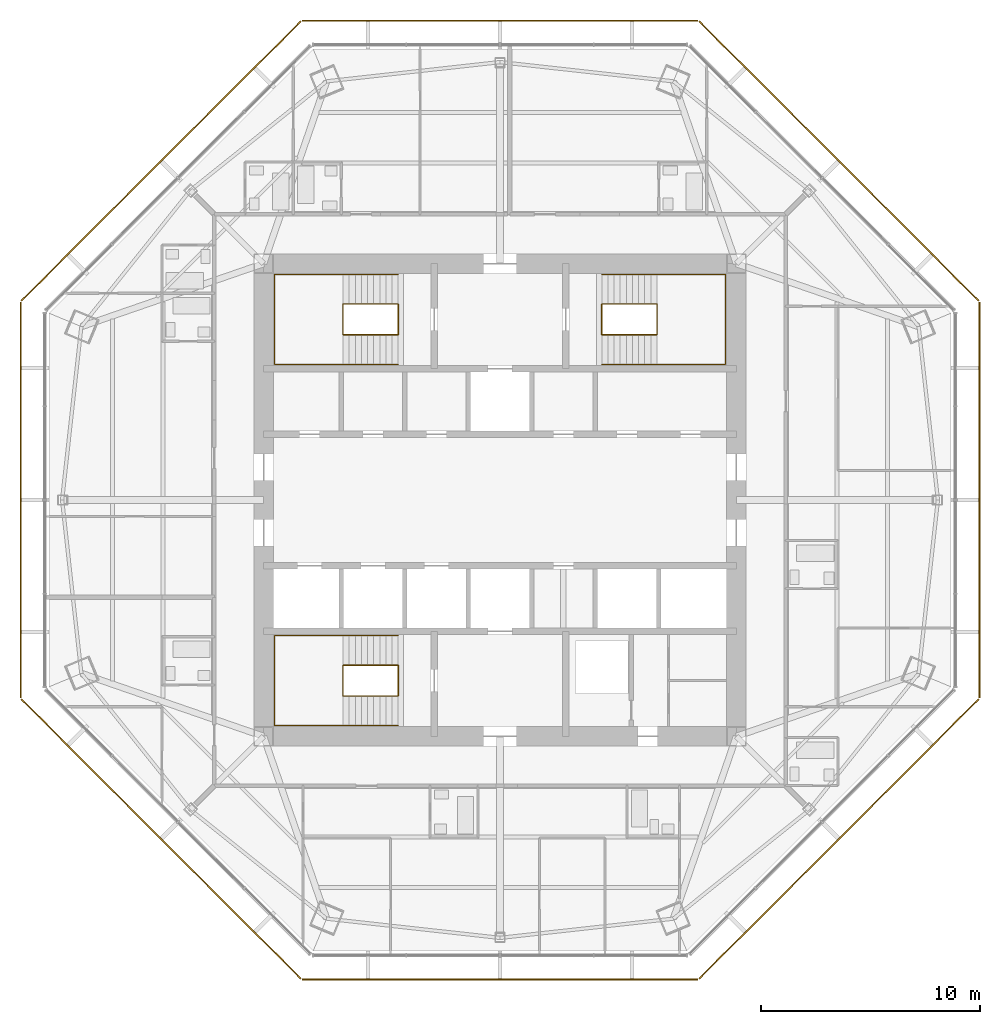
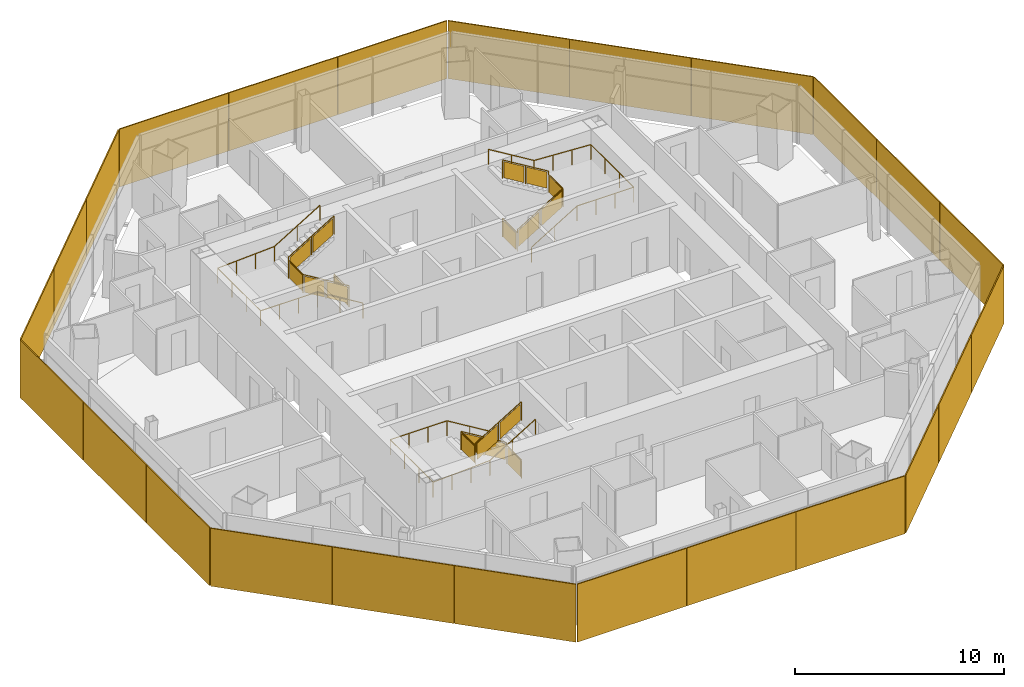
# One storey, part 13 of 14: 24 shading devices, 6 railings.
"""IFC4 building model written with IfcOpenShell, lengths in metres."""

from ifc_helpers import new_model, si_unit, direction, frame, origin, origin_2d, place, context, subcontext, project, spatial, polyline, rectangle, circle, outline, extrude, source, transform, mapped, material, layer, layer_set, type_object, type_shapes, element, save


model = new_model("IFC4")

# Units and contexts
model_context = context("Model", 3, precision=1e-05, world=origin(), true_north=direction((0.0, 1.0)))
body_context = subcontext(model_context, "Body", "Model", "MODEL_VIEW")
ifc_project = project(units=[si_unit("LENGTHUNIT", "METRE"), si_unit("AREAUNIT", "SQUARE_METRE"), si_unit("VOLUMEUNIT", "CUBIC_METRE"), si_unit("PLANEANGLEUNIT", "RADIAN"), si_unit("MASSUNIT", "GRAM", prefix="KILO")], contexts=[model_context])

# Site, building, storey
site_placement = place(None, origin())
site = spatial("IfcSite", under=ifc_project, at=site_placement, CompositionType="ELEMENT")
building_placement = place(site_placement, origin())
building = spatial("IfcBuilding", under=site, at=building_placement, Name="Mashrafa Tower", CompositionType="ELEMENT")
storey_placement = place(building_placement, frame((0.0, 0.0, 255.0)))
storey = spatial("IfcBuildingStorey", under=building, at=storey_placement, Name="L61", CompositionType="ELEMENT", Elevation=255.0)

# Railings
ifc_material_1 = material(Name="Steel guard with glass infill", Category="steel")
railing_type_1 = type_object("IfcRailingType", Name="Stair guard 1100", PredefinedType="GUARDRAIL", material=ifc_material_1)
railing_1_placement = place(storey_placement, frame((-4.64990234375, 8.949951171875, 0.0)))
element("IfcRailing", 1, at=railing_1_placement, inside=storey, type_object=railing_type_1, Name="Stair S1 guard L61", PredefinedType="GUARDRAIL", context=body_context, shape_type="SweptSolid", body=[
    extrude(circle(Radius=0.02392578125, at=origin_2d()), frame((0.0, 0.0, 1.076171875), z_axis=(0.0, -1.0, 0.0), x_axis=(1.0, 0.0, 0.0)), (0.0, 0.0, 1.0), 1.39990234375),
    extrude(circle(Radius=0.02392578125, at=origin_2d()), frame((0.0, -1.39990234375, 1.076171875), z_axis=(0.0, 0.0, 1.0), x_axis=(1.0, 0.0, 0.0)), (0.0, 0.0, 1.0), 0.169921875),
    extrude(circle(Radius=0.02392578125, at=origin_2d()), frame((0.0, -1.39990234375, 1.24609375), z_axis=(-0.85478489116, 0.0, 0.518982456201), x_axis=(0.0, -1.0, 0.0)), (0.0, 0.0, 1.0), 2.9482421875),
    extrude(circle(Radius=0.02392578125, at=origin_2d()), frame((-2.52001953125, -1.39990234375, 2.77587890625), z_axis=(0.0, 1.0, 0.0), x_axis=(-1.0, 0.0, 0.0)), (0.0, 0.0, 1.0), 1.39990234375),
    extrude(circle(Radius=0.02392578125, at=origin_2d()), frame((-2.52001953125, 0.0, 2.77587890625), z_axis=(0.0, 0.0, 1.0), x_axis=(1.0, 0.0, 0.0)), (0.0, 0.0, 1.0), 0.170166015625),
    extrude(circle(Radius=0.02392578125, at=origin_2d()), frame((-2.52001953125, 0.0, 2.9462890625), z_axis=(0.854821627497, 0.0, 0.518921945155), x_axis=(0.0, 1.0, 0.0)), (0.0, 0.0, 1.0), 2.947998046875),
    extrude(circle(Radius=0.02099609375, at=origin_2d()), origin(), (0.0, 0.0, 1.0), 1.052001953125),
    extrude(circle(Radius=0.02099609375, at=origin_2d()), frame((0.0, -1.39990234375, 0.0)), (0.0, 0.0, 1.0), 1.052001953125),
    extrude(circle(Radius=0.02099609375, at=origin_2d()), frame((0.0, -1.39990234375, 0.169921875)), (0.0, 0.0, 1.0), 1.052001953125),
    extrude(circle(Radius=0.02099609375, at=origin_2d()), frame((-1.260009765625, -1.39990234375, 0.93505859375)), (0.0, 0.0, 1.0), 1.052001953125),
    extrude(circle(Radius=0.02099609375, at=origin_2d()), frame((-2.52001953125, -1.39990234375, 1.699951171875)), (0.0, 0.0, 1.0), 1.052001953125),
    extrude(circle(Radius=0.02099609375, at=origin_2d()), frame((-2.52001953125, 0.0, 1.699951171875)), (0.0, 0.0, 1.0), 1.052001953125),
    extrude(circle(Radius=0.02099609375, at=origin_2d()), frame((-2.52001953125, 0.0, 1.8701171875)), (0.0, 0.0, 1.0), 1.052001953125),
    extrude(circle(Radius=0.02099609375, at=origin_2d()), frame((-1.260009765625, 0.0, 2.635009765625)), (0.0, 0.0, 1.0), 1.052001953125),
    extrude(circle(Radius=0.02099609375, at=origin_2d()), frame((0.0, 0.0, 3.39990234375)), (0.0, 0.0, 1.0), 1.052001953125),
    extrude(outline(polyline([(0.071044921875, 0.050048828125), (1.328857421875, 0.050048828125), (1.328857421875, 1.001953125), (0.071044921875, 1.001953125), (0.071044921875, 0.050048828125)])), frame((-0.006103515625, 0.0, 0.0), z_axis=(-1.0, 0.0, 0.0), x_axis=(0.0, -1.0, 0.0)), (0.0, 0.0, 1.0), 0.011962890625),
    extrude(outline(polyline([(0.071044921875, 0.093017578125), (1.18896484375, 0.77197265625), (1.18896484375, 1.723876953125), (0.071044921875, 1.045166015625), (0.071044921875, 0.093017578125)])), frame((0.0, -1.393798828125, 0.169921875), z_axis=(0.0, 1.0, 0.0), x_axis=(-1.0, 0.0, 0.0)), (0.0, 0.0, 1.0), 0.011962890625),
    extrude(outline(polyline([(1.3310546875, 0.858154296875), (2.448974609375, 1.536865234375), (2.448974609375, 2.489013671875), (1.3310546875, 1.81005859375), (1.3310546875, 0.858154296875)])), frame((0.0, -1.393798828125, 0.169921875), z_axis=(0.0, 1.0, 0.0), x_axis=(-1.0, 0.0, 0.0)), (0.0, 0.0, 1.0), 0.011962890625),
    extrude(outline(polyline([(0.071044921875, 0.050048828125), (1.328857421875, 0.050048828125), (1.328857421875, 1.001953125), (0.071044921875, 1.001953125), (0.071044921875, 0.050048828125)])), frame((-2.513916015625, -1.39990234375, 1.699951171875), z_axis=(1.0, 0.0, 0.0), x_axis=(0.0, 1.0, 0.0)), (0.0, 0.0, 1.0), 0.011962890625),
    extrude(outline(polyline([(0.071044921875, 0.093017578125), (1.18896484375, 0.771728515625), (1.18896484375, 1.723876953125), (0.071044921875, 1.045166015625), (0.071044921875, 0.093017578125)])), frame((-2.52001953125, -0.006103515625, 1.8701171875), z_axis=(0.0, -1.0, 0.0), x_axis=(1.0, 0.0, 0.0)), (0.0, 0.0, 1.0), 0.011962890625),
    extrude(outline(polyline([(1.3310546875, 0.85791015625), (2.448974609375, 1.53662109375), (2.448974609375, 2.48876953125), (1.3310546875, 1.81005859375), (1.3310546875, 0.85791015625)])), frame((-2.52001953125, -0.006103515625, 1.8701171875), z_axis=(0.0, -1.0, 0.0), x_axis=(1.0, 0.0, 0.0)), (0.0, 0.0, 1.0), 0.011962890625),
])
railing_2_placement = place(storey_placement, frame((4.64990234375, 8.949951171875, 0.0)))
element("IfcRailing", 2, at=railing_2_placement, inside=storey, type_object=railing_type_1, Name="Stair S2 guard L61", PredefinedType="GUARDRAIL", context=body_context, shape_type="SweptSolid", body=[
    extrude(circle(Radius=0.02392578125, at=origin_2d()), frame((0.0, 0.0, 1.076171875), z_axis=(0.0, -1.0, 0.0), x_axis=(1.0, 0.0, 0.0)), (0.0, 0.0, 1.0), 1.39990234375),
    extrude(circle(Radius=0.02392578125, at=origin_2d()), frame((0.0, -1.39990234375, 1.076171875), z_axis=(0.0, 0.0, 1.0), x_axis=(1.0, 0.0, 0.0)), (0.0, 0.0, 1.0), 0.169921875),
    extrude(circle(Radius=0.02392578125, at=origin_2d()), frame((0.0, -1.39990234375, 1.24609375), z_axis=(0.85478489116, 0.0, 0.518982456201), x_axis=(0.0, 1.0, 0.0)), (0.0, 0.0, 1.0), 2.9482421875),
    extrude(circle(Radius=0.02392578125, at=origin_2d()), frame((2.52001953125, -1.39990234375, 2.77587890625), z_axis=(0.0, 1.0, 0.0), x_axis=(-1.0, 0.0, 0.0)), (0.0, 0.0, 1.0), 1.39990234375),
    extrude(circle(Radius=0.02392578125, at=origin_2d()), frame((2.52001953125, 0.0, 2.77587890625), z_axis=(0.0, 0.0, 1.0), x_axis=(1.0, 0.0, 0.0)), (0.0, 0.0, 1.0), 0.170166015625),
    extrude(circle(Radius=0.02392578125, at=origin_2d()), frame((2.52001953125, 0.0, 2.9462890625), z_axis=(-0.854821627497, 0.0, 0.518921945155), x_axis=(0.0, -1.0, 0.0)), (0.0, 0.0, 1.0), 2.947998046875),
    extrude(circle(Radius=0.02099609375, at=origin_2d()), origin(), (0.0, 0.0, 1.0), 1.052001953125),
    extrude(circle(Radius=0.02099609375, at=origin_2d()), frame((0.0, -1.39990234375, 0.0)), (0.0, 0.0, 1.0), 1.052001953125),
    extrude(circle(Radius=0.02099609375, at=origin_2d()), frame((0.0, -1.39990234375, 0.169921875)), (0.0, 0.0, 1.0), 1.052001953125),
    extrude(circle(Radius=0.02099609375, at=origin_2d()), frame((1.260009765625, -1.39990234375, 0.93505859375)), (0.0, 0.0, 1.0), 1.052001953125),
    extrude(circle(Radius=0.02099609375, at=origin_2d()), frame((2.52001953125, -1.39990234375, 1.699951171875)), (0.0, 0.0, 1.0), 1.052001953125),
    extrude(circle(Radius=0.02099609375, at=origin_2d()), frame((2.52001953125, 0.0, 1.699951171875)), (0.0, 0.0, 1.0), 1.052001953125),
    extrude(circle(Radius=0.02099609375, at=origin_2d()), frame((2.52001953125, 0.0, 1.8701171875)), (0.0, 0.0, 1.0), 1.052001953125),
    extrude(circle(Radius=0.02099609375, at=origin_2d()), frame((1.260009765625, 0.0, 2.635009765625)), (0.0, 0.0, 1.0), 1.052001953125),
    extrude(circle(Radius=0.02099609375, at=origin_2d()), frame((0.0, 0.0, 3.39990234375)), (0.0, 0.0, 1.0), 1.052001953125),
    extrude(outline(polyline([(0.071044921875, 0.050048828125), (1.328857421875, 0.050048828125), (1.328857421875, 1.001953125), (0.071044921875, 1.001953125), (0.071044921875, 0.050048828125)])), frame((-0.006103515625, 0.0, 0.0), z_axis=(-1.0, 0.0, 0.0), x_axis=(0.0, -1.0, 0.0)), (0.0, 0.0, 1.0), 0.011962890625),
    extrude(outline(polyline([(0.071044921875, 0.093017578125), (1.18896484375, 0.77197265625), (1.18896484375, 1.723876953125), (0.071044921875, 1.045166015625), (0.071044921875, 0.093017578125)])), frame((0.0, -1.406005859375, 0.169921875), z_axis=(0.0, -1.0, 0.0), x_axis=(1.0, 0.0, 0.0)), (0.0, 0.0, 1.0), 0.011962890625),
    extrude(outline(polyline([(1.3310546875, 0.858154296875), (2.448974609375, 1.536865234375), (2.448974609375, 2.489013671875), (1.3310546875, 1.81005859375), (1.3310546875, 0.858154296875)])), frame((0.0, -1.406005859375, 0.169921875), z_axis=(0.0, -1.0, 0.0), x_axis=(1.0, 0.0, 0.0)), (0.0, 0.0, 1.0), 0.011962890625),
    extrude(outline(polyline([(0.071044921875, 0.050048828125), (1.328857421875, 0.050048828125), (1.328857421875, 1.001953125), (0.071044921875, 1.001953125), (0.071044921875, 0.050048828125)])), frame((2.526123046875, -1.39990234375, 1.699951171875), z_axis=(1.0, 0.0, 0.0), x_axis=(0.0, 1.0, 0.0)), (0.0, 0.0, 1.0), 0.011962890625),
    extrude(outline(polyline([(0.071044921875, 0.093017578125), (1.18896484375, 0.771728515625), (1.18896484375, 1.723876953125), (0.071044921875, 1.045166015625), (0.071044921875, 0.093017578125)])), frame((2.52001953125, 0.006103515625, 1.8701171875), z_axis=(0.0, 1.0, 0.0), x_axis=(-1.0, 0.0, 0.0)), (0.0, 0.0, 1.0), 0.011962890625),
    extrude(outline(polyline([(1.3310546875, 0.85791015625), (2.448974609375, 1.53662109375), (2.448974609375, 2.48876953125), (1.3310546875, 1.81005859375), (1.3310546875, 0.85791015625)])), frame((2.52001953125, 0.006103515625, 1.8701171875), z_axis=(0.0, 1.0, 0.0), x_axis=(-1.0, 0.0, 0.0)), (0.0, 0.0, 1.0), 0.011962890625),
])
railing_3_placement = place(storey_placement, frame((-4.64990234375, -8.949951171875, 0.0)))
element("IfcRailing", 3, at=railing_3_placement, inside=storey, type_object=railing_type_1, Name="Stair S3 guard L61", PredefinedType="GUARDRAIL", context=body_context, shape_type="SweptSolid", body=[
    extrude(circle(Radius=0.02392578125, at=origin_2d()), frame((0.0, 0.0, 1.076171875), z_axis=(0.0, 1.0, 0.0), x_axis=(-1.0, 0.0, 0.0)), (0.0, 0.0, 1.0), 1.39990234375),
    extrude(circle(Radius=0.02392578125, at=origin_2d()), frame((0.0, 1.39990234375, 1.076171875), z_axis=(0.0, 0.0, 1.0), x_axis=(1.0, 0.0, 0.0)), (0.0, 0.0, 1.0), 0.169921875),
    extrude(circle(Radius=0.02392578125, at=origin_2d()), frame((0.0, 1.39990234375, 1.24609375), z_axis=(-0.85478489116, 0.0, 0.518982456201), x_axis=(0.0, -1.0, 0.0)), (0.0, 0.0, 1.0), 2.9482421875),
    extrude(circle(Radius=0.02392578125, at=origin_2d()), frame((-2.52001953125, 1.39990234375, 2.77587890625), z_axis=(0.0, -1.0, 0.0), x_axis=(1.0, 0.0, 0.0)), (0.0, 0.0, 1.0), 1.39990234375),
    extrude(circle(Radius=0.02392578125, at=origin_2d()), frame((-2.52001953125, 0.0, 2.77587890625), z_axis=(0.0, 0.0, 1.0), x_axis=(1.0, 0.0, 0.0)), (0.0, 0.0, 1.0), 0.170166015625),
    extrude(circle(Radius=0.02392578125, at=origin_2d()), frame((-2.52001953125, 0.0, 2.9462890625), z_axis=(0.854821627497, 0.0, 0.518921945155), x_axis=(0.0, 1.0, 0.0)), (0.0, 0.0, 1.0), 2.947998046875),
    extrude(circle(Radius=0.02099609375, at=origin_2d()), origin(), (0.0, 0.0, 1.0), 1.052001953125),
    extrude(circle(Radius=0.02099609375, at=origin_2d()), frame((0.0, 1.39990234375, 0.0)), (0.0, 0.0, 1.0), 1.052001953125),
    extrude(circle(Radius=0.02099609375, at=origin_2d()), frame((0.0, 1.39990234375, 0.169921875)), (0.0, 0.0, 1.0), 1.052001953125),
    extrude(circle(Radius=0.02099609375, at=origin_2d()), frame((-1.260009765625, 1.39990234375, 0.93505859375)), (0.0, 0.0, 1.0), 1.052001953125),
    extrude(circle(Radius=0.02099609375, at=origin_2d()), frame((-2.52001953125, 1.39990234375, 1.699951171875)), (0.0, 0.0, 1.0), 1.052001953125),
    extrude(circle(Radius=0.02099609375, at=origin_2d()), frame((-2.52001953125, 0.0, 1.699951171875)), (0.0, 0.0, 1.0), 1.052001953125),
    extrude(circle(Radius=0.02099609375, at=origin_2d()), frame((-2.52001953125, 0.0, 1.8701171875)), (0.0, 0.0, 1.0), 1.052001953125),
    extrude(circle(Radius=0.02099609375, at=origin_2d()), frame((-1.260009765625, 0.0, 2.635009765625)), (0.0, 0.0, 1.0), 1.052001953125),
    extrude(circle(Radius=0.02099609375, at=origin_2d()), frame((0.0, 0.0, 3.39990234375)), (0.0, 0.0, 1.0), 1.052001953125),
    extrude(outline(polyline([(0.071044921875, 0.050048828125), (1.328857421875, 0.050048828125), (1.328857421875, 1.001953125), (0.071044921875, 1.001953125), (0.071044921875, 0.050048828125)])), frame((0.006103515625, 0.0, 0.0), z_axis=(1.0, 0.0, 0.0), x_axis=(0.0, 1.0, 0.0)), (0.0, 0.0, 1.0), 0.011962890625),
    extrude(outline(polyline([(0.071044921875, 0.093017578125), (1.18896484375, 0.77197265625), (1.18896484375, 1.723876953125), (0.071044921875, 1.045166015625), (0.071044921875, 0.093017578125)])), frame((0.0, 1.406005859375, 0.169921875), z_axis=(0.0, 1.0, 0.0), x_axis=(-1.0, 0.0, 0.0)), (0.0, 0.0, 1.0), 0.011962890625),
    extrude(outline(polyline([(1.3310546875, 0.858154296875), (2.448974609375, 1.536865234375), (2.448974609375, 2.489013671875), (1.3310546875, 1.81005859375), (1.3310546875, 0.858154296875)])), frame((0.0, 1.406005859375, 0.169921875), z_axis=(0.0, 1.0, 0.0), x_axis=(-1.0, 0.0, 0.0)), (0.0, 0.0, 1.0), 0.011962890625),
    extrude(outline(polyline([(0.071044921875, 0.050048828125), (1.328857421875, 0.050048828125), (1.328857421875, 1.001953125), (0.071044921875, 1.001953125), (0.071044921875, 0.050048828125)])), frame((-2.526123046875, 1.39990234375, 1.699951171875), z_axis=(-1.0, 0.0, 0.0), x_axis=(0.0, -1.0, 0.0)), (0.0, 0.0, 1.0), 0.011962890625),
    extrude(outline(polyline([(0.071044921875, 0.093017578125), (1.18896484375, 0.771728515625), (1.18896484375, 1.723876953125), (0.071044921875, 1.045166015625), (0.071044921875, 0.093017578125)])), frame((-2.52001953125, -0.006103515625, 1.8701171875), z_axis=(0.0, -1.0, 0.0), x_axis=(1.0, 0.0, 0.0)), (0.0, 0.0, 1.0), 0.011962890625),
    extrude(outline(polyline([(1.3310546875, 0.85791015625), (2.448974609375, 1.53662109375), (2.448974609375, 2.48876953125), (1.3310546875, 1.81005859375), (1.3310546875, 0.85791015625)])), frame((-2.52001953125, -0.006103515625, 1.8701171875), z_axis=(0.0, -1.0, 0.0), x_axis=(1.0, 0.0, 0.0)), (0.0, 0.0, 1.0), 0.011962890625),
])
ifc_material_2 = material(Name="Steel", Category="steel")
railing_type_2 = type_object("IfcRailingType", Name="Stair handrail 900", PredefinedType="HANDRAIL", material=ifc_material_2)
railing_4_placement = place(storey_placement, frame((-4.64990234375, 6.199951171875, 0.169921875)))
element("IfcRailing", 4, at=railing_4_placement, inside=storey, type_object=railing_type_2, Name="Stair S1 handrail L61", PredefinedType="HANDRAIL", context=body_context, shape_type="SweptSolid", body=[
    extrude(circle(Radius=0.02392578125, at=origin_2d()), frame((0.0, 0.0, 0.8759765625), z_axis=(-0.85478489116, 0.0, 0.518982456201), x_axis=(0.0, -1.0, 0.0)), (0.0, 0.0, 1.0), 2.9482421875),
    extrude(circle(Radius=0.02392578125, at=origin_2d()), frame((-2.52001953125, 0.0, 2.40576171875), z_axis=(-1.0, 0.0, 0.0), x_axis=(0.0, -1.0, 0.0)), (0.0, 0.0, 1.0), 3.130126953125),
    extrude(circle(Radius=0.02392578125, at=origin_2d()), frame((-5.650146484375, 0.0, 2.40576171875), z_axis=(0.0, 1.0, 0.0), x_axis=(-1.0, 0.0, 0.0)), (0.0, 0.0, 1.0), 4.10009765625),
    extrude(circle(Radius=0.02392578125, at=origin_2d()), frame((-5.650146484375, 4.10009765625, 2.40576171875), z_axis=(0.998525548763, 0.0, 0.054283777201), x_axis=(0.0, 1.0, 0.0)), (0.0, 0.0, 1.0), 3.134765625),
    extrude(circle(Radius=0.02392578125, at=origin_2d()), frame((-2.52001953125, 4.10009765625, 2.576171875), z_axis=(0.854821627497, 0.0, 0.518921945155), x_axis=(0.0, 1.0, 0.0)), (0.0, 0.0, 1.0), 2.947998046875),
    extrude(circle(Radius=0.02099609375, at=origin_2d()), origin(), (0.0, 0.0, 1.0), 0.851806640625),
    extrude(circle(Radius=0.02099609375, at=origin_2d()), frame((-1.260009765625, 0.0, 0.76513671875)), (0.0, 0.0, 1.0), 0.851806640625),
    extrude(circle(Radius=0.02099609375, at=origin_2d()), frame((-2.52001953125, 0.0, 1.530029296875)), (0.0, 0.0, 1.0), 0.851806640625),
    extrude(circle(Radius=0.02099609375, at=origin_2d()), frame((-3.5634765625, 0.0, 1.530029296875)), (0.0, 0.0, 1.0), 0.851806640625),
    extrude(circle(Radius=0.02099609375, at=origin_2d()), frame((-4.606689453125, 0.0, 1.530029296875)), (0.0, 0.0, 1.0), 0.851806640625),
    extrude(circle(Radius=0.02099609375, at=origin_2d()), frame((-5.650146484375, 0.0, 1.530029296875)), (0.0, 0.0, 1.0), 0.851806640625),
    extrude(circle(Radius=0.02099609375, at=origin_2d()), frame((-5.650146484375, 1.36669921875, 1.530029296875)), (0.0, 0.0, 1.0), 0.851806640625),
    extrude(circle(Radius=0.02099609375, at=origin_2d()), frame((-5.650146484375, 2.7333984375, 1.530029296875)), (0.0, 0.0, 1.0), 0.851806640625),
    extrude(circle(Radius=0.02099609375, at=origin_2d()), frame((-5.650146484375, 4.10009765625, 1.530029296875)), (0.0, 0.0, 1.0), 0.851806640625),
    extrude(circle(Radius=0.02099609375, at=origin_2d()), frame((-4.606689453125, 4.10009765625, 1.586669921875)), (0.0, 0.0, 1.0), 0.851806640625),
    extrude(circle(Radius=0.02099609375, at=origin_2d()), frame((-3.5634765625, 4.10009765625, 1.6435546875)), (0.0, 0.0, 1.0), 0.851806640625),
    extrude(circle(Radius=0.02099609375, at=origin_2d()), frame((-2.52001953125, 4.10009765625, 1.7001953125)), (0.0, 0.0, 1.0), 0.851806640625),
    extrude(circle(Radius=0.02099609375, at=origin_2d()), frame((-1.260009765625, 4.10009765625, 2.465087890625)), (0.0, 0.0, 1.0), 0.851806640625),
    extrude(circle(Radius=0.02099609375, at=origin_2d()), frame((0.0, 4.10009765625, 3.22998046875)), (0.0, 0.0, 1.0), 0.851806640625),
])
railing_5_placement = place(storey_placement, frame((4.64990234375, 6.199951171875, 0.169921875)))
element("IfcRailing", 5, at=railing_5_placement, inside=storey, type_object=railing_type_2, Name="Stair S2 handrail L61", PredefinedType="HANDRAIL", context=body_context, shape_type="SweptSolid", body=[
    extrude(circle(Radius=0.02392578125, at=origin_2d()), frame((0.0, 0.0, 0.8759765625), z_axis=(0.85478489116, 0.0, 0.518982456201), x_axis=(0.0, 1.0, 0.0)), (0.0, 0.0, 1.0), 2.9482421875),
    extrude(circle(Radius=0.02392578125, at=origin_2d()), frame((2.52001953125, 0.0, 2.40576171875), z_axis=(1.0, 0.0, 0.0), x_axis=(0.0, 1.0, 0.0)), (0.0, 0.0, 1.0), 3.130126953125),
    extrude(circle(Radius=0.02392578125, at=origin_2d()), frame((5.650146484375, 0.0, 2.40576171875), z_axis=(0.0, 1.0, 0.0), x_axis=(-1.0, 0.0, 0.0)), (0.0, 0.0, 1.0), 4.10009765625),
    extrude(circle(Radius=0.02392578125, at=origin_2d()), frame((5.650146484375, 4.10009765625, 2.40576171875), z_axis=(-0.998525548763, 0.0, 0.054283777201), x_axis=(0.0, -1.0, 0.0)), (0.0, 0.0, 1.0), 3.134765625),
    extrude(circle(Radius=0.02392578125, at=origin_2d()), frame((2.52001953125, 4.10009765625, 2.576171875), z_axis=(-0.854821627497, 0.0, 0.518921945155), x_axis=(0.0, -1.0, 0.0)), (0.0, 0.0, 1.0), 2.947998046875),
    extrude(circle(Radius=0.02099609375, at=origin_2d()), origin(), (0.0, 0.0, 1.0), 0.851806640625),
    extrude(circle(Radius=0.02099609375, at=origin_2d()), frame((1.260009765625, 0.0, 0.76513671875)), (0.0, 0.0, 1.0), 0.851806640625),
    extrude(circle(Radius=0.02099609375, at=origin_2d()), frame((2.52001953125, 0.0, 1.530029296875)), (0.0, 0.0, 1.0), 0.851806640625),
    extrude(circle(Radius=0.02099609375, at=origin_2d()), frame((3.5634765625, 0.0, 1.530029296875)), (0.0, 0.0, 1.0), 0.851806640625),
    extrude(circle(Radius=0.02099609375, at=origin_2d()), frame((4.606689453125, 0.0, 1.530029296875)), (0.0, 0.0, 1.0), 0.851806640625),
    extrude(circle(Radius=0.02099609375, at=origin_2d()), frame((5.650146484375, 0.0, 1.530029296875)), (0.0, 0.0, 1.0), 0.851806640625),
    extrude(circle(Radius=0.02099609375, at=origin_2d()), frame((5.650146484375, 1.36669921875, 1.530029296875)), (0.0, 0.0, 1.0), 0.851806640625),
    extrude(circle(Radius=0.02099609375, at=origin_2d()), frame((5.650146484375, 2.7333984375, 1.530029296875)), (0.0, 0.0, 1.0), 0.851806640625),
    extrude(circle(Radius=0.02099609375, at=origin_2d()), frame((5.650146484375, 4.10009765625, 1.530029296875)), (0.0, 0.0, 1.0), 0.851806640625),
    extrude(circle(Radius=0.02099609375, at=origin_2d()), frame((4.606689453125, 4.10009765625, 1.586669921875)), (0.0, 0.0, 1.0), 0.851806640625),
    extrude(circle(Radius=0.02099609375, at=origin_2d()), frame((3.5634765625, 4.10009765625, 1.6435546875)), (0.0, 0.0, 1.0), 0.851806640625),
    extrude(circle(Radius=0.02099609375, at=origin_2d()), frame((2.52001953125, 4.10009765625, 1.7001953125)), (0.0, 0.0, 1.0), 0.851806640625),
    extrude(circle(Radius=0.02099609375, at=origin_2d()), frame((1.260009765625, 4.10009765625, 2.465087890625)), (0.0, 0.0, 1.0), 0.851806640625),
    extrude(circle(Radius=0.02099609375, at=origin_2d()), frame((0.0, 4.10009765625, 3.22998046875)), (0.0, 0.0, 1.0), 0.851806640625),
])
railing_6_placement = place(storey_placement, frame((-4.64990234375, -6.199951171875, 0.169921875)))
element("IfcRailing", 6, at=railing_6_placement, inside=storey, type_object=railing_type_2, Name="Stair S3 handrail L61", PredefinedType="HANDRAIL", context=body_context, shape_type="SweptSolid", body=[
    extrude(circle(Radius=0.02392578125, at=origin_2d()), frame((0.0, 0.0, 0.8759765625), z_axis=(-0.85478489116, 0.0, 0.518982456201), x_axis=(0.0, -1.0, 0.0)), (0.0, 0.0, 1.0), 2.9482421875),
    extrude(circle(Radius=0.02392578125, at=origin_2d()), frame((-2.52001953125, 0.0, 2.40576171875), z_axis=(-1.0, 0.0, 0.0), x_axis=(0.0, -1.0, 0.0)), (0.0, 0.0, 1.0), 3.130126953125),
    extrude(circle(Radius=0.02392578125, at=origin_2d()), frame((-5.650146484375, 0.0, 2.40576171875), z_axis=(0.0, -1.0, 0.0), x_axis=(1.0, 0.0, 0.0)), (0.0, 0.0, 1.0), 4.10009765625),
    extrude(circle(Radius=0.02392578125, at=origin_2d()), frame((-5.650146484375, -4.10009765625, 2.40576171875), z_axis=(0.998525548763, 0.0, 0.054283777201), x_axis=(0.0, 1.0, 0.0)), (0.0, 0.0, 1.0), 3.134765625),
    extrude(circle(Radius=0.02392578125, at=origin_2d()), frame((-2.52001953125, -4.10009765625, 2.576171875), z_axis=(0.854821627497, 0.0, 0.518921945155), x_axis=(0.0, 1.0, 0.0)), (0.0, 0.0, 1.0), 2.947998046875),
    extrude(circle(Radius=0.02099609375, at=origin_2d()), origin(), (0.0, 0.0, 1.0), 0.851806640625),
    extrude(circle(Radius=0.02099609375, at=origin_2d()), frame((-1.260009765625, 0.0, 0.76513671875)), (0.0, 0.0, 1.0), 0.851806640625),
    extrude(circle(Radius=0.02099609375, at=origin_2d()), frame((-2.52001953125, 0.0, 1.530029296875)), (0.0, 0.0, 1.0), 0.851806640625),
    extrude(circle(Radius=0.02099609375, at=origin_2d()), frame((-3.5634765625, 0.0, 1.530029296875)), (0.0, 0.0, 1.0), 0.851806640625),
    extrude(circle(Radius=0.02099609375, at=origin_2d()), frame((-4.606689453125, 0.0, 1.530029296875)), (0.0, 0.0, 1.0), 0.851806640625),
    extrude(circle(Radius=0.02099609375, at=origin_2d()), frame((-5.650146484375, 0.0, 1.530029296875)), (0.0, 0.0, 1.0), 0.851806640625),
    extrude(circle(Radius=0.02099609375, at=origin_2d()), frame((-5.650146484375, -1.36669921875, 1.530029296875)), (0.0, 0.0, 1.0), 0.851806640625),
    extrude(circle(Radius=0.02099609375, at=origin_2d()), frame((-5.650146484375, -2.7333984375, 1.530029296875)), (0.0, 0.0, 1.0), 0.851806640625),
    extrude(circle(Radius=0.02099609375, at=origin_2d()), frame((-5.650146484375, -4.10009765625, 1.530029296875)), (0.0, 0.0, 1.0), 0.851806640625),
    extrude(circle(Radius=0.02099609375, at=origin_2d()), frame((-4.606689453125, -4.10009765625, 1.586669921875)), (0.0, 0.0, 1.0), 0.851806640625),
    extrude(circle(Radius=0.02099609375, at=origin_2d()), frame((-3.5634765625, -4.10009765625, 1.6435546875)), (0.0, 0.0, 1.0), 0.851806640625),
    extrude(circle(Radius=0.02099609375, at=origin_2d()), frame((-2.52001953125, -4.10009765625, 1.7001953125)), (0.0, 0.0, 1.0), 0.851806640625),
    extrude(circle(Radius=0.02099609375, at=origin_2d()), frame((-1.260009765625, -4.10009765625, 2.465087890625)), (0.0, 0.0, 1.0), 0.851806640625),
    extrude(circle(Radius=0.02099609375, at=origin_2d()), frame((0.0, -4.10009765625, 3.22998046875)), (0.0, 0.0, 1.0), 0.851806640625),
])

# Shading devices
ifc_material_3 = material(Name="Perforated aluminium plate, eight-point star pattern", Category="aluminium")
ifc_layer = layer(ifc_material_3, 0.06005859375)
ifc_layer_set = layer_set([ifc_layer], Name="Mashrabiya screen panel apartment zone 3, 28 percent open")
shading_device_type = type_object("IfcShadingDeviceType", Name="Mashrabiya screen panel apartment zone 3, 28 percent open", PredefinedType="SHUTTER", material=ifc_layer_set)
shared_shape = source(origin(), body_context, "Body", "SweptSolid", [
    extrude(rectangle(XDim=6.012939453125, YDim=0.06005859375, at=origin_2d()), origin(), (0.0, 0.0, 1.0), 3.3798828125),
])
type_shapes(shading_device_type, [shared_shape])
for number, where, z_axis, x_axis, name in (
    (7, (21.901123046875, -6.032958984375, -0.14990234375), (0.0, 0.0, 1.0), (0.0, 1.0, 0.0), "Mashrabiya screen L61 east 1"),
    (8, (21.901123046875, 0.0, -0.14990234375), (0.0, 0.0, 1.0), (0.0, 1.0, 0.0), "Mashrabiya screen L61 east 2"),
    (9, (21.901123046875, 6.032958984375, -0.14990234375), (0.0, 0.0, 1.0), (0.0, 1.0, 0.0), "Mashrabiya screen L61 east 3"),
    (10, (19.75244140625, 11.220458984375, -0.14990234375), (0.0, 0.0, 1.0), (-0.707106781187, 0.707106781187, 0.0), "Mashrabiya screen L61 north-east 1"),
    (11, (15.486328125, 15.486328125, -0.14990234375), (0.0, 0.0, 1.0), (-0.707106781187, 0.707106781187, 0.0), "Mashrabiya screen L61 north-east 2"),
    (12, (11.220458984375, 19.75244140625, -0.14990234375), (0.0, 0.0, 1.0), (-0.707106781187, 0.707106781187, 0.0), "Mashrabiya screen L61 north-east 3"),
    (13, (6.032958984375, 21.901123046875, -0.14990234375), (0.0, 0.0, 1.0), (-1.0, 0.0, 0.0), "Mashrabiya screen L61 north 1"),
    (14, (0.0, 21.901123046875, -0.14990234375), (0.0, 0.0, 1.0), (-1.0, 0.0, 0.0), "Mashrabiya screen L61 north 2"),
    (15, (-6.032958984375, 21.901123046875, -0.14990234375), (0.0, 0.0, 1.0), (-1.0, 0.0, 0.0), "Mashrabiya screen L61 north 3"),
    (16, (-11.220458984375, 19.75244140625, -0.14990234375), (0.0, 0.0, 1.0), (-0.707106781187, -0.707106781187, 0.0), "Mashrabiya screen L61 north-west 1"),
    (17, (-15.486328125, 15.486328125, -0.14990234375), (0.0, 0.0, 1.0), (-0.707106781187, -0.707106781187, 0.0), "Mashrabiya screen L61 north-west 2"),
    (18, (-19.75244140625, 11.220458984375, -0.14990234375), (0.0, 0.0, 1.0), (-0.707106781187, -0.707106781187, 0.0), "Mashrabiya screen L61 north-west 3"),
    (19, (-21.901123046875, 6.032958984375, -0.14990234375), (0.0, 0.0, 1.0), (0.0, -1.0, 0.0), "Mashrabiya screen L61 west 1"),
    (20, (-21.901123046875, 0.0, -0.14990234375), (0.0, 0.0, 1.0), (0.0, -1.0, 0.0), "Mashrabiya screen L61 west 2"),
    (21, (-21.901123046875, -6.032958984375, -0.14990234375), (0.0, 0.0, 1.0), (0.0, -1.0, 0.0), "Mashrabiya screen L61 west 3"),
    (22, (-19.75244140625, -11.220458984375, -0.14990234375), (0.0, 0.0, 1.0), (0.707106781187, -0.707106781187, 0.0), "Mashrabiya screen L61 south-west 1"),
    (23, (-15.486328125, -15.486328125, -0.14990234375), (0.0, 0.0, 1.0), (0.707106781187, -0.707106781187, 0.0), "Mashrabiya screen L61 south-west 2"),
    (24, (-11.220458984375, -19.75244140625, -0.14990234375), (0.0, 0.0, 1.0), (0.707106781187, -0.707106781187, 0.0), "Mashrabiya screen L61 south-west 3"),
    (25, (-6.032958984375, -21.901123046875, -0.14990234375), (0.0, 0.0, 1.0), (1.0, 0.0, 0.0), "Mashrabiya screen L61 south 1"),
    (26, (0.0, -21.901123046875, -0.14990234375), (0.0, 0.0, 1.0), (1.0, 0.0, 0.0), "Mashrabiya screen L61 south 2"),
    (27, (6.032958984375, -21.901123046875, -0.14990234375), (0.0, 0.0, 1.0), (1.0, 0.0, 0.0), "Mashrabiya screen L61 south 3"),
    (28, (11.220458984375, -19.75244140625, -0.14990234375), (0.0, 0.0, 1.0), (0.707106781187, 0.707106781187, 0.0), "Mashrabiya screen L61 south-east 1"),
    (29, (15.486328125, -15.486328125, -0.14990234375), (0.0, 0.0, 1.0), (0.707106781187, 0.707106781187, 0.0), "Mashrabiya screen L61 south-east 2"),
    (30, (19.75244140625, -11.220458984375, -0.14990234375), (0.0, 0.0, 1.0), (0.707106781187, 0.707106781187, 0.0), "Mashrabiya screen L61 south-east 3"),
):
    element("IfcShadingDevice", number, at=place(storey_placement, frame(where, z_axis=z_axis, x_axis=x_axis)), inside=storey, type_object=shading_device_type, Name=name, PredefinedType="SHUTTER", context=body_context, shape_type="MappedRepresentation", body=[
        mapped(shared_shape, transform((0.0, 0.0, 0.0))),
    ])

save(model, "model.ifc")
